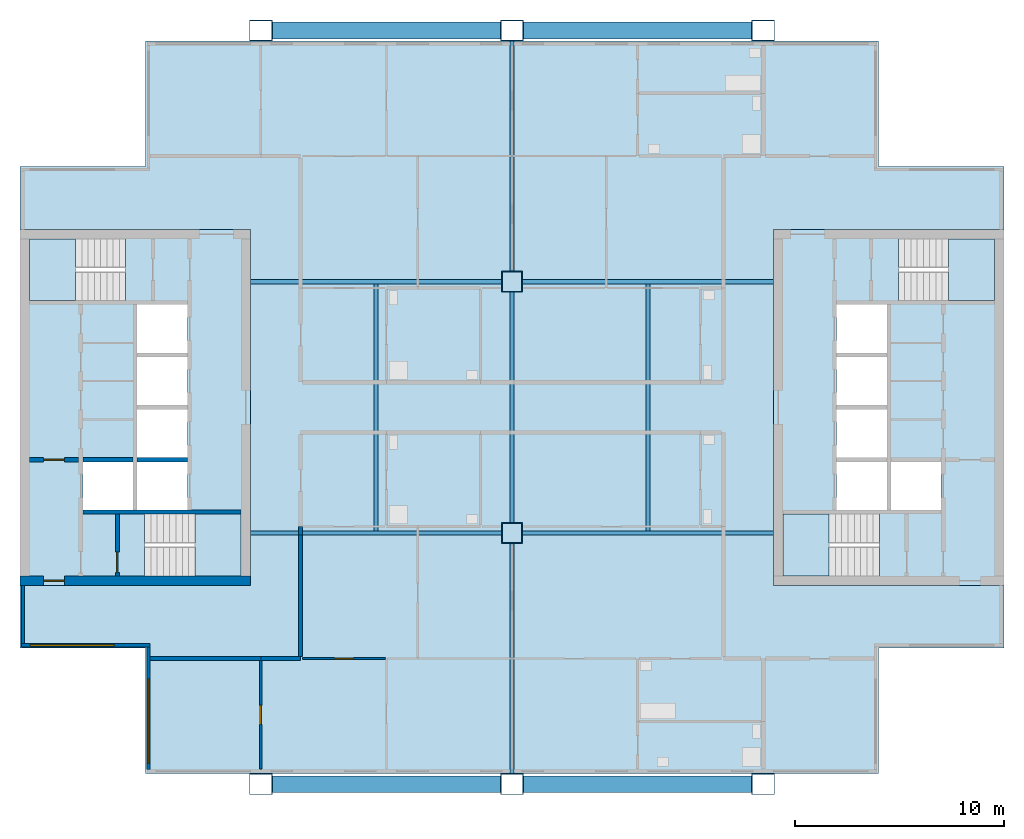
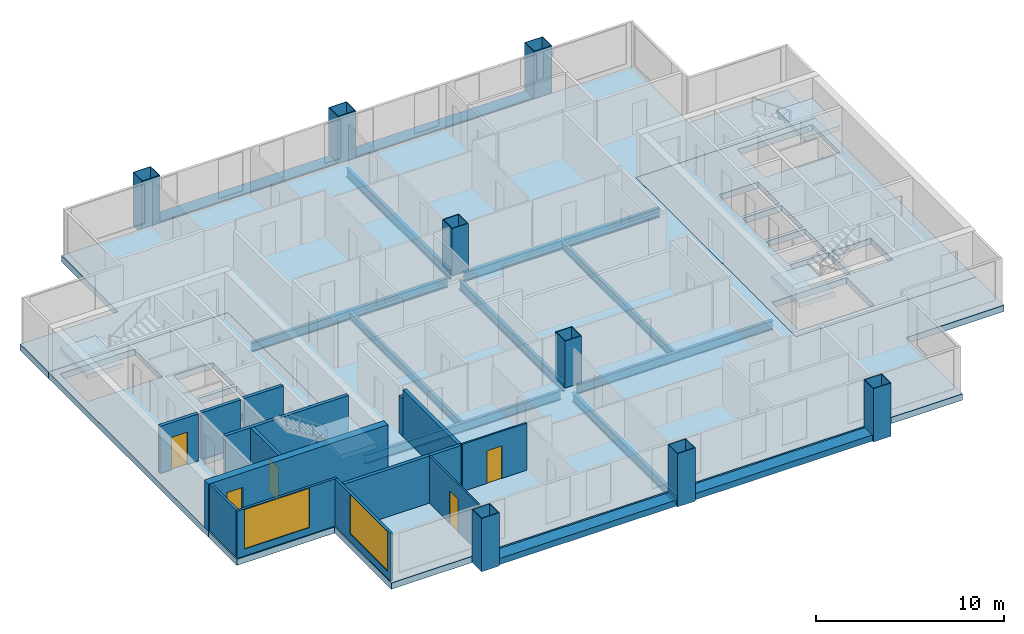
# One storey, part 1 of 8: 15 walls, 13 beams, 8 columns, 7 slabs, 5 doors, 2 windows, 7 openings, 4 elements without a shape of their own.
"""IFC4 building model written with IfcOpenShell, lengths in metres."""

from ifc_helpers import new_model, si_unit, direction, frame, frame_2d, origin, origin_2d, place, context, subcontext, project, spatial, polyline, rectangle, hollow_rectangle, i_section, outline, extrude, material, layer, layer_set, material_profile, profile_set, type_object, element, fill, aggregate, save


model = new_model("IFC4")

# Units and contexts
model_context = context("Model", 3, precision=1e-05, world=origin(), true_north=direction((0.0, 1.0)))
body_context = subcontext(model_context, "Body", "Model", "MODEL_VIEW")
ifc_project = project(units=[si_unit("LENGTHUNIT", "METRE"), si_unit("AREAUNIT", "SQUARE_METRE"), si_unit("VOLUMEUNIT", "CUBIC_METRE"), si_unit("PLANEANGLEUNIT", "RADIAN"), si_unit("MASSUNIT", "GRAM", prefix="KILO")], contexts=[model_context])

# Site, building, storey
site_placement = place(None, origin())
site = spatial("IfcSite", under=ifc_project, at=site_placement, CompositionType="ELEMENT")
building_placement = place(site_placement, origin())
building = spatial("IfcBuilding", under=site, at=building_placement, Name="Kitamizu Gate Tower and Museum", CompositionType="ELEMENT")
storey_placement = place(building_placement, frame((0.0, 0.0, 231.75)))
storey = spatial("IfcBuildingStorey", under=building, at=storey_placement, Name="L62", CompositionType="ELEMENT", Elevation=231.75)

# Columns
ifc_material_1 = material(Name="Steel SM490A bronze coated", Category="steel")
ifc_material_profile_1 = material_profile(ifc_material_1, hollow_rectangle(XDim=1.10009765625, YDim=1.0, WallThickness=0.0400390625, at=origin_2d()), Name="BOX 1100x1000x40")
ifc_profile_set_1 = profile_set([ifc_material_profile_1], Name="Steel SM490A bronze coated")
column_type_1 = type_object("IfcColumnType", Name="Exoskeleton column XC8 BOX 1100x1000x40", PredefinedType="COLUMN", material=ifc_profile_set_1)
for number, where, z_axis, x_axis, name in (
    (1, (24.0, 12.0, -0.39990234375), (0.0, 0.0, 1.0), (1.0, 0.0, 0.0), "Column XC8 3B L62"),
    (2, (24.0, 48.0, -0.39990234375), (0.0, 0.0, 1.0), (1.0, 0.0, 0.0), "Column XC8 3E L62"),
    (3, (36.0, 12.0, -0.39990234375), (0.0, 0.0, 1.0), (1.0, 0.0, 0.0), "Column XC8 4B L62"),
    (4, (36.0, 48.0, -0.39990234375), (0.0, 0.0, 1.0), (1.0, 0.0, 0.0), "Column XC8 4E L62"),
    (5, (48.0, 12.0, -0.39990234375), (0.0, 0.0, 1.0), (1.0, 0.0, 0.0), "Column XC8 5B L62"),
    (6, (48.0, 48.0, -0.39990234375), (0.0, 0.0, 1.0), (1.0, 0.0, 0.0), "Column XC8 5E L62"),
):
    element("IfcColumn", number, at=place(storey_placement, frame(where, z_axis=z_axis, x_axis=x_axis)), inside=storey, type_object=column_type_1, Name=name, PredefinedType="COLUMN", context=body_context, shape_type="SweptSolid", body=[
        extrude(hollow_rectangle(XDim=1.10009765625, YDim=1.0, WallThickness=0.0400390625, at=origin_2d()), origin(), (0.0, 0.0, 1.0), 3.449951171875),
    ])
ifc_material_2 = material(Name="Steel SM490A", Category="steel")
ifc_material_profile_2 = material_profile(ifc_material_2, hollow_rectangle(XDim=1.0, YDim=1.0, WallThickness=0.0400390625, at=origin_2d()), Name="BOX 1000x1000x40")
ifc_profile_set_2 = profile_set([ifc_material_profile_2], Name="Steel SM490A")
column_type_2 = type_object("IfcColumnType", Name="Interior column IC5 BOX 1000x1000x40", PredefinedType="COLUMN", material=ifc_profile_set_2)
for number, where, z_axis, x_axis, name in (
    (7, (36.0, 24.0, 0.0), (0.0, 0.0, 1.0), (1.0, 0.0, 0.0), "Column IC5 4C L62"),
    (8, (36.0, 36.0, 0.0), (0.0, 0.0, 1.0), (1.0, 0.0, 0.0), "Column IC5 4D L62"),
):
    element("IfcColumn", number, at=place(storey_placement, frame(where, z_axis=z_axis, x_axis=x_axis)), inside=storey, type_object=column_type_2, Name=name, PredefinedType="COLUMN", context=body_context, shape_type="SweptSolid", body=[
        extrude(hollow_rectangle(XDim=1.0, YDim=1.0, WallThickness=0.0400390625, at=origin_2d()), origin(), (0.0, 0.0, 1.0), 3.050048828125),
    ])

# Beams
ifc_material_3 = material(Name="Steel SM490A bronze coated", Category="steel")
ifc_material_profile_3 = material_profile(ifc_material_3, hollow_rectangle(XDim=0.800048828125, YDim=0.39990234375, WallThickness=0.0400390625, at=origin_2d()), Name="BOX 800x400x40")
ifc_profile_set_3 = profile_set([ifc_material_profile_3], Name="Steel SM490A bronze coated")
beam_type_1 = type_object("IfcBeamType", Name="Exoskeleton spandrel beam SB1 BOX 800x400x40", PredefinedType="SPANDREL", material=ifc_profile_set_3)
for number, where, z_axis, x_axis, name in (
    (9, (24.550048828125, 12.0, -0.199951171875), (1.0, 0.0, 0.0), (0.0, 1.0, 0.0), "Exoskeleton spandrel beam south 24 L62"),
    (10, (36.550048828125, 12.0, -0.199951171875), (1.0, 0.0, 0.0), (0.0, 1.0, 0.0), "Exoskeleton spandrel beam south 36 L62"),
    (11, (24.550048828125, 48.0, -0.199951171875), (1.0, 0.0, 0.0), (0.0, 1.0, 0.0), "Exoskeleton spandrel beam north 24 L62"),
    (12, (36.550048828125, 48.0, -0.199951171875), (1.0, 0.0, 0.0), (0.0, 1.0, 0.0), "Exoskeleton spandrel beam north 36 L62"),
):
    element("IfcBeam", number, at=place(storey_placement, frame(where, z_axis=z_axis, x_axis=x_axis)), inside=storey, type_object=beam_type_1, Name=name, PredefinedType="SPANDREL", context=body_context, shape_type="SweptSolid", body=[
        extrude(hollow_rectangle(XDim=0.800048828125, YDim=0.39990234375, WallThickness=0.0400390625, at=origin_2d()), origin(), (0.0, 0.0, 1.0), 10.89990234375),
    ])
ifc_material_4 = material(Name="Steel SM490A", Category="steel")
ifc_material_profile_4 = material_profile(ifc_material_4, i_section(OverallWidth=0.199951171875, OverallDepth=0.5, WebThickness=0.010009765625, FlangeThickness=0.01611328125, FilletRadius=0.02001953125, at=origin_2d()), Name="H-500x200x10x16")
ifc_profile_set_4 = profile_set([ifc_material_profile_4], Name="Steel SM490A")
beam_type_2 = type_object("IfcBeamType", Name="Floor beam FB1 H 500x200x10x16", PredefinedType="BEAM", material=ifc_profile_set_4)
for number, where, z_axis, x_axis, name in (
    (13, (29.5, 24.10009765625, -0.64990234375), (0.0, 1.0, 0.0), (-1.0, 0.0, 0.0), "Floor beam FB1 L62-1"),
    (14, (42.5, 24.10009765625, -0.64990234375), (0.0, 1.0, 0.0), (-1.0, 0.0, 0.0), "Floor beam FB1 L62-2"),
):
    element("IfcBeam", number, at=place(storey_placement, frame(where, z_axis=z_axis, x_axis=x_axis)), inside=storey, type_object=beam_type_2, Name=name, PredefinedType="BEAM", context=body_context, shape_type="SweptSolid", body=[
        extrude(i_section(OverallWidth=0.199951171875, OverallDepth=0.5, WebThickness=0.010009765625, FlangeThickness=0.01611328125, FilletRadius=0.02001953125, at=origin_2d()), origin(), (0.0, 0.0, 1.0), 11.7998046875),
    ])
ifc_material_5 = material(Name="Steel SM490A", Category="steel")
ifc_material_profile_5 = material_profile(ifc_material_5, i_section(OverallWidth=0.199951171875, OverallDepth=0.60009765625, WebThickness=0.010986328125, FlangeThickness=0.01708984375, FilletRadius=0.02197265625, at=origin_2d()), Name="H-600x200x11x17")
ifc_profile_set_5 = profile_set([ifc_material_profile_5], Name="Steel SM490A")
beam_type_3 = type_object("IfcBeamType", Name="Floor girder FG1 H 600x200x11x17", PredefinedType="BEAM", material=ifc_profile_set_5)
for number, where, z_axis, x_axis, name in (
    (15, (36.0, 12.5, -0.699951171875), (0.0, 1.0, 0.0), (-1.0, 0.0, 0.0), "Floor girder FG1 x36 L62"),
    (16, (36.0, 24.5, -0.699951171875), (0.0, 1.0, 0.0), (-1.0, 0.0, 0.0), "Floor girder FG1 x36 L62"),
    (17, (36.0, 36.5, -0.699951171875), (0.0, 1.0, 0.0), (-1.0, 0.0, 0.0), "Floor girder FG1 x36 L62"),
):
    element("IfcBeam", number, at=place(storey_placement, frame(where, z_axis=z_axis, x_axis=x_axis)), inside=storey, type_object=beam_type_3, Name=name, PredefinedType="BEAM", context=body_context, shape_type="SweptSolid", body=[
        extrude(i_section(OverallWidth=0.199951171875, OverallDepth=0.60009765625, WebThickness=0.010986328125, FlangeThickness=0.01708984375, FilletRadius=0.02197265625, at=origin_2d()), origin(), (0.0, 0.0, 1.0), 11.0),
    ])
for number, where, z_axis, x_axis, name in (
    (18, (23.5, 24.0, -0.699951171875), (1.0, 0.0, 0.0), (0.0, 1.0, 0.0), "Floor girder FG1 y24 L62"),
    (19, (36.5, 24.0, -0.699951171875), (1.0, 0.0, 0.0), (0.0, 1.0, 0.0), "Floor girder FG1 y24 L62"),
    (20, (23.5, 36.0, -0.699951171875), (1.0, 0.0, 0.0), (0.0, 1.0, 0.0), "Floor girder FG1 y36 L62"),
    (21, (36.5, 36.0, -0.699951171875), (1.0, 0.0, 0.0), (0.0, 1.0, 0.0), "Floor girder FG1 y36 L62"),
):
    element("IfcBeam", number, at=place(storey_placement, frame(where, z_axis=z_axis, x_axis=x_axis)), inside=storey, type_object=beam_type_3, Name=name, PredefinedType="BEAM", context=body_context, shape_type="SweptSolid", body=[
        extrude(i_section(OverallWidth=0.199951171875, OverallDepth=0.60009765625, WebThickness=0.010986328125, FlangeThickness=0.01708984375, FilletRadius=0.02197265625, at=origin_2d()), origin(), (0.0, 0.0, 1.0), 12.0),
    ])

# Slabs
ifc_material_6 = material(Name="Concrete Fc36", Category="concrete")
ifc_layer_1 = layer(ifc_material_6, 0.39990234375)
ifc_layer_set_1 = layer_set([ifc_layer_1], Name="Concrete Fc36")
slab_type_1 = type_object("IfcSlabType", Name="Core floor slab 400", PredefinedType="FLOOR", material=ifc_layer_set_1)
slab_1_placement = place(storey_placement, frame((0.0, 0.0, -0.39990234375)))
element("IfcSlab", 22, at=slab_1_placement, inside=storey, type_object=slab_type_1, Name="Core floor slab W", PredefinedType="FLOOR", context=body_context, shape_type="SweptSolid", body=[
    extrude(outline(polyline([(12.5, 21.5), (23.5, 21.5), (23.5, 38.5), (12.5, 38.5), (12.5, 21.5)]), holes=[polyline([(15.5, 25.10009765625), (17.89990234375, 25.10009765625), (17.89990234375, 27.39990234375), (15.5, 27.39990234375), (15.5, 25.10009765625)]), polyline([(18.10009765625, 25.10009765625), (20.5, 25.10009765625), (20.5, 27.39990234375), (18.10009765625, 27.39990234375), (18.10009765625, 25.10009765625)]), polyline([(18.10009765625, 27.60009765625), (20.5, 27.60009765625), (20.5, 29.89990234375), (18.10009765625, 29.89990234375), (18.10009765625, 27.60009765625)]), polyline([(18.10009765625, 30.10009765625), (20.5, 30.10009765625), (20.5, 32.39990234375), (18.10009765625, 32.39990234375), (18.10009765625, 30.10009765625)]), polyline([(18.10009765625, 32.60009765625), (20.5, 32.60009765625), (20.5, 34.89990234375), (18.10009765625, 34.89990234375), (18.10009765625, 32.60009765625)]), polyline([(18.45068359375, 21.949951171875), (23.050048828125, 21.949951171875), (23.050048828125, 24.89990234375), (18.45068359375, 24.89990234375), (18.45068359375, 21.949951171875)]), polyline([(12.949951171875, 35.10009765625), (17.54931640625, 35.10009765625), (17.54931640625, 38.050048828125), (12.949951171875, 38.050048828125), (12.949951171875, 35.10009765625)])]), origin(), (0.0, 0.0, 1.0), 0.39990234375),
])
slab_2_placement = place(storey_placement, frame((0.0, 0.0, -0.39990234375)))
element("IfcSlab", 23, at=slab_2_placement, inside=storey, type_object=slab_type_1, Name="Core floor slab E", PredefinedType="FLOOR", context=body_context, shape_type="SweptSolid", body=[
    extrude(outline(polyline([(48.5, 21.5), (59.5, 21.5), (59.5, 38.5), (48.5, 38.5), (48.5, 21.5)]), holes=[polyline([(54.10009765625, 25.10009765625), (56.5, 25.10009765625), (56.5, 27.39990234375), (54.10009765625, 27.39990234375), (54.10009765625, 25.10009765625)]), polyline([(51.5, 25.10009765625), (53.89990234375, 25.10009765625), (53.89990234375, 27.39990234375), (51.5, 27.39990234375), (51.5, 25.10009765625)]), polyline([(51.5, 27.60009765625), (53.89990234375, 27.60009765625), (53.89990234375, 29.89990234375), (51.5, 29.89990234375), (51.5, 27.60009765625)]), polyline([(51.5, 30.10009765625), (53.89990234375, 30.10009765625), (53.89990234375, 32.39990234375), (51.5, 32.39990234375), (51.5, 30.10009765625)]), polyline([(51.5, 32.60009765625), (53.89990234375, 32.60009765625), (53.89990234375, 34.89990234375), (51.5, 34.89990234375), (51.5, 32.60009765625)]), polyline([(48.949951171875, 21.949951171875), (53.54931640625, 21.949951171875), (53.54931640625, 24.89990234375), (48.949951171875, 24.89990234375), (48.949951171875, 21.949951171875)]), polyline([(54.45068359375, 35.10009765625), (59.050048828125, 35.10009765625), (59.050048828125, 38.050048828125), (54.45068359375, 38.050048828125), (54.45068359375, 35.10009765625)])]), origin(), (0.0, 0.0, 1.0), 0.39990234375),
])
ifc_material_7 = material(Name="Concrete Fc36", Category="concrete")
ifc_layer_2 = layer(ifc_material_7, 0.39990234375)
ifc_layer_set_2 = layer_set([ifc_layer_2], Name="Concrete Fc36")
slab_type_2 = type_object("IfcSlabType", Name="Post tensioned flat slab 400", PredefinedType="FLOOR", material=ifc_layer_set_2)
slab_3_placement = place(storey_placement, frame((0.0, 0.0, -0.39990234375)))
element("IfcSlab", 24, at=slab_3_placement, inside=storey, type_object=slab_type_2, Name="Floor slab L62-1", PredefinedType="FLOOR", context=body_context, shape_type="SweptSolid", body=[
    extrude(outline(polyline([(12.5, 18.5), (12.5, 21.5), (23.5, 21.5), (23.5, 38.5), (12.5, 38.5), (12.5, 41.5), (18.5, 41.5), (18.5, 47.5), (53.5, 47.5), (53.5, 41.5), (59.5, 41.5), (59.5, 38.5), (48.5, 38.5), (48.5, 21.5), (59.5, 21.5), (59.5, 18.5), (53.5, 18.5), (53.5, 12.5), (18.5, 12.5), (18.5, 18.5), (12.5, 18.5)])), origin(), (0.0, 0.0, 1.0), 0.39990234375),
])

# Stair, slab
ifc_material_8 = material(Name="Concrete Fc42", Category="concrete")
stair_type = type_object("IfcStairType", Name="Exit stair 1375 wide 192 rise 300 going", PredefinedType="HALF_TURN_STAIR", material=ifc_material_8)
stair_1_placement = place(storey_placement, origin())
stair_1 = element("IfcStair", 25, at=stair_1_placement, inside=storey, type_object=stair_type, Name="Exit stair ST1", PredefinedType="HALF_TURN_STAIR")
ifc_material_9 = material(Name="Concrete Fc42", Category="concrete")
ifc_layer_3 = layer(ifc_material_9, 0.300048828125)
ifc_layer_set_3 = layer_set([ifc_layer_3], Name="Concrete Fc42")
slab_type_3 = type_object("IfcSlabType", Name="Stair landing 300", PredefinedType="LANDING", material=ifc_layer_set_3)
slab_4_placement = place(storey_placement, frame((0.0, 0.0, 1.425048828125)))
slab_4 = element("IfcSlab", 26, at=slab_4_placement, type_object=slab_type_3, Name="ST1 landing 1", PredefinedType="LANDING", context=body_context, shape_type="SweptSolid", body=[
    extrude(outline(polyline([(20.85009765625, 21.949951171875), (23.050048828125, 21.949951171875), (23.050048828125, 24.89990234375), (20.85009765625, 24.89990234375), (20.85009765625, 21.949951171875)])), origin(), (0.0, 0.0, 1.0), 0.300048828125),
])
aggregate(stair_1, [slab_4])

stair_2_placement = place(storey_placement, origin())
stair_2 = element("IfcStair", 27, at=stair_2_placement, inside=storey, type_object=stair_type, Name="Exit stair ST2", PredefinedType="HALF_TURN_STAIR")
slab_5_placement = place(storey_placement, frame((0.0, 0.0, 1.425048828125)))
slab_5 = element("IfcSlab", 28, at=slab_5_placement, type_object=slab_type_3, Name="ST2 landing 1", PredefinedType="LANDING", context=body_context, shape_type="SweptSolid", body=[
    extrude(outline(polyline([(12.949951171875, 35.10009765625), (15.14990234375, 35.10009765625), (15.14990234375, 38.050048828125), (12.949951171875, 38.050048828125), (12.949951171875, 35.10009765625)])), origin(), (0.0, 0.0, 1.0), 0.300048828125),
])
aggregate(stair_2, [slab_5])

stair_3_placement = place(storey_placement, origin())
stair_3 = element("IfcStair", 29, at=stair_3_placement, inside=storey, type_object=stair_type, Name="Exit stair ST3", PredefinedType="HALF_TURN_STAIR")
slab_6_placement = place(storey_placement, frame((0.0, 0.0, 1.425048828125)))
slab_6 = element("IfcSlab", 30, at=slab_6_placement, type_object=slab_type_3, Name="ST3 landing 1", PredefinedType="LANDING", context=body_context, shape_type="SweptSolid", body=[
    extrude(outline(polyline([(48.949951171875, 21.949951171875), (51.14990234375, 21.949951171875), (51.14990234375, 24.89990234375), (48.949951171875, 24.89990234375), (48.949951171875, 21.949951171875)])), origin(), (0.0, 0.0, 1.0), 0.300048828125),
])
aggregate(stair_3, [slab_6])

stair_4_placement = place(storey_placement, origin())
stair_4 = element("IfcStair", 31, at=stair_4_placement, inside=storey, type_object=stair_type, Name="Exit stair ST4", PredefinedType="HALF_TURN_STAIR")
slab_7_placement = place(storey_placement, frame((0.0, 0.0, 1.425048828125)))
slab_7 = element("IfcSlab", 32, at=slab_7_placement, type_object=slab_type_3, Name="ST4 landing 1", PredefinedType="LANDING", context=body_context, shape_type="SweptSolid", body=[
    extrude(outline(polyline([(56.85009765625, 35.10009765625), (59.050048828125, 35.10009765625), (59.050048828125, 38.050048828125), (56.85009765625, 38.050048828125), (56.85009765625, 35.10009765625)])), origin(), (0.0, 0.0, 1.0), 0.300048828125),
])
aggregate(stair_4, [slab_7])

# Wall, opening, door
ifc_material_10 = material(Name="Concrete Fc42", Category="concrete")
ifc_layer_4 = layer(ifc_material_10, 0.449951171875)
ifc_layer_set_4 = layer_set([ifc_layer_4], Name="Concrete Fc42")
wall_type_1 = type_object("IfcWallType", Name="Core wall 450", PredefinedType="SHEAR", material=ifc_layer_set_4)
wall_1_placement = place(storey_placement, frame((12.5, 21.72509765625, 0.0), z_axis=(0.0, 0.0, 1.0), x_axis=(1.0, 0.0, 0.0)))
wall_1 = element("IfcWall", 33, at=wall_1_placement, inside=storey, type_object=wall_type_1, Name="Core wall WS", PredefinedType="SHEAR", context=body_context, shape_type="SweptSolid", body=[
    extrude(rectangle(XDim=11.0, YDim=0.449951171875, at=frame_2d((5.5, 0.0))), origin(), (0.0, 0.0, 1.0), 3.050048828125),
])
opening_1_placement = place(wall_1_placement, frame((1.125, 0.0, 0.0)))
opening_1 = element("IfcOpeningElement", 34, at=opening_1_placement, cuts=wall_1, Name="Opening L62-035", PredefinedType="OPENING", context=body_context, shape_type="SweptSolid", body=[
    extrude(rectangle(XDim=1.0, YDim=2.10009765625, at=frame_2d((0.5, 1.050048828125))), frame((0.0, 0.23486328125, 0.0), z_axis=(0.0, -1.0, 0.0), x_axis=(1.0, 0.0, 0.0)), (0.0, 0.0, 1.0), 0.469970703125),
])
ifc_material_11 = material(Name="Hollow metal door set")
door_type_1 = type_object("IfcDoorType", Name="Fire door 1000", OperationType="NOTDEFINED", PredefinedType="DOOR", material=ifc_material_11)
door_1_placement = place(opening_1_placement, origin())
door_1 = element("IfcDoor", 35, at=door_1_placement, inside=storey, type_object=door_type_1, Name="Fire-fighting lobby door L62-035", OperationType="SINGLE_SWING_RIGHT", OverallHeight=2.10009765625, OverallWidth=1.0, PredefinedType="DOOR", context=body_context, shape_type="SweptSolid", body=[
    extrude(rectangle(XDim=1.0, YDim=2.10009765625, at=frame_2d((0.5, 1.050048828125))), frame((0.0, 0.02490234375, 0.0), z_axis=(0.0, -1.0, 0.0), x_axis=(1.0, 0.0, 0.0)), (0.0, 0.0, 1.0), 0.050048828125),
])
fill(opening_1, door_1)

ifc_material_12 = material(Name="Gypsum board on galvanised stud")
ifc_layer_5 = layer(ifc_material_12, 0.10009765625)
ifc_layer_set_5 = layer_set([ifc_layer_5], Name="Gypsum board on galvanised stud")
wall_type_2 = type_object("IfcWallType", Name="Partition 100 NOT RATED", PredefinedType="PARTITIONING", material=ifc_layer_set_5)
wall_2_placement = place(storey_placement, frame((24.0, 12.719970703125, 0.0), z_axis=(0.0, 0.0, 1.0), x_axis=(0.0, 1.0, 0.0)))
wall_2 = element("IfcWall", 36, at=wall_2_placement, inside=storey, type_object=wall_type_2, Name="Partition L62-001", PredefinedType="PARTITIONING", context=body_context, shape_type="SweptSolid", body=[
    extrude(rectangle(XDim=5.179931640625, YDim=0.10009765625, at=frame_2d((2.58984375, 0.0))), origin(), (0.0, 0.0, 1.0), 3.050048828125),
])
opening_2_placement = place(wall_2_placement, frame((2.139892578125, 0.0, 0.0)))
opening_2 = element("IfcOpeningElement", 37, at=opening_2_placement, cuts=wall_2, Name="Opening L62-006", PredefinedType="OPENING", context=body_context, shape_type="SweptSolid", body=[
    extrude(rectangle(XDim=0.89990234375, YDim=2.10009765625, at=frame_2d((0.449951171875, 1.050048828125))), frame((0.0, 0.06005859375, 0.0), z_axis=(0.0, -1.0, 0.0), x_axis=(1.0, 0.0, 0.0)), (0.0, 0.0, 1.0), 0.1201171875),
])
ifc_material_13 = material(Name="Timber door set", Category="wood")
door_type_2 = type_object("IfcDoorType", Name="Room door 900", OperationType="NOTDEFINED", PredefinedType="DOOR", material=ifc_material_13)
door_2_placement = place(opening_2_placement, origin())
door_2 = element("IfcDoor", 38, at=door_2_placement, inside=storey, type_object=door_type_2, Name="Door L62-006", OperationType="SINGLE_SWING_LEFT", OverallHeight=2.10009765625, OverallWidth=0.89990234375, PredefinedType="DOOR", context=body_context, shape_type="SweptSolid", body=[
    extrude(rectangle(XDim=0.89990234375, YDim=2.10009765625, at=frame_2d((0.449951171875, 1.050048828125))), frame((0.0, 0.02490234375, 0.0), z_axis=(0.0, -1.0, 0.0), x_axis=(1.0, 0.0, 0.0)), (0.0, 0.0, 1.0), 0.050048828125),
])
fill(opening_2, door_2)

wall_3_placement = place(storey_placement, frame((29.949951171875, 18.0, 0.0), z_axis=(0.0, 0.0, 1.0), x_axis=(-1.0, 0.0, 0.0)))
wall_3 = element("IfcWall", 39, at=wall_3_placement, inside=storey, type_object=wall_type_2, Name="Partition L62-004", PredefinedType="PARTITIONING", context=body_context, shape_type="SweptSolid", body=[
    extrude(rectangle(XDim=3.949951171875, YDim=0.10009765625, at=frame_2d((1.97509765625, 0.0))), origin(), (0.0, 0.0, 1.0), 3.050048828125),
])
opening_3_placement = place(wall_3_placement, frame((1.52490234375, 0.0, 0.0)))
opening_3 = element("IfcOpeningElement", 40, at=opening_3_placement, cuts=wall_3, Name="Opening L62-003", PredefinedType="OPENING", context=body_context, shape_type="SweptSolid", body=[
    extrude(rectangle(XDim=0.89990234375, YDim=2.10009765625, at=frame_2d((0.449951171875, 1.050048828125))), frame((0.0, 0.06005859375, 0.0), z_axis=(0.0, -1.0, 0.0), x_axis=(1.0, 0.0, 0.0)), (0.0, 0.0, 1.0), 0.1201171875),
])
door_3_placement = place(opening_3_placement, origin())
door_3 = element("IfcDoor", 41, at=door_3_placement, inside=storey, type_object=door_type_2, Name="Door L62-003", OperationType="SINGLE_SWING_RIGHT", OverallHeight=2.10009765625, OverallWidth=0.89990234375, PredefinedType="DOOR", context=body_context, shape_type="SweptSolid", body=[
    extrude(rectangle(XDim=0.89990234375, YDim=2.10009765625, at=frame_2d((0.449951171875, 1.050048828125))), frame((0.0, 0.02490234375, 0.0), z_axis=(0.0, -1.0, 0.0), x_axis=(1.0, 0.0, 0.0)), (0.0, 0.0, 1.0), 0.050048828125),
])
fill(opening_3, door_3)

# Walls
ifc_material_14 = material(Name="Gypsum board on galvanised stud")
ifc_layer_6 = layer(ifc_material_14, 0.199951171875)
ifc_layer_set_6 = layer_set([ifc_layer_6], Name="Gypsum board on galvanised stud")
wall_type_3 = type_object("IfcWallType", Name="Partition 200", PredefinedType="PARTITIONING", material=ifc_layer_set_6)
wall_4_placement = place(storey_placement, frame((24.0, 18.0, 0.0), z_axis=(0.0, 0.0, 1.0), x_axis=(-1.0, 0.0, 0.0)))
element("IfcWall", 42, at=wall_4_placement, inside=storey, type_object=wall_type_3, Name="Partition L62-002", PredefinedType="PARTITIONING", context=body_context, shape_type="SweptSolid", body=[
    extrude(rectangle(XDim=5.280029296875, YDim=0.199951171875, at=frame_2d((2.64013671875, 0.0))), origin(), (0.0, 0.0, 1.0), 3.050048828125),
])
wall_5_placement = place(storey_placement, frame((25.89990234375, 18.0, 0.0), z_axis=(0.0, 0.0, 1.0), x_axis=(-1.0, 0.0, 0.0)))
element("IfcWall", 43, at=wall_5_placement, inside=storey, type_object=wall_type_3, Name="Partition L62-005", PredefinedType="PARTITIONING", context=body_context, shape_type="SweptSolid", body=[
    extrude(rectangle(XDim=1.89990234375, YDim=0.199951171875, at=frame_2d((0.949951171875, 0.0))), origin(), (0.0, 0.0, 1.0), 3.050048828125),
])
wall_6_placement = place(storey_placement, frame((25.89990234375, 24.300048828125, 0.0), z_axis=(0.0, 0.0, 1.0), x_axis=(0.0, -1.0, 0.0)))
element("IfcWall", 44, at=wall_6_placement, inside=storey, type_object=wall_type_3, Name="Partition L62-020", PredefinedType="PARTITIONING", context=body_context, shape_type="SweptSolid", body=[
    extrude(rectangle(XDim=0.400146484375, YDim=0.199951171875, at=frame_2d((0.2001953125, 0.0))), origin(), (0.0, 0.0, 1.0), 2.449951171875),
])
wall_7_placement = place(storey_placement, frame((25.89990234375, 23.89990234375, 0.0), z_axis=(0.0, 0.0, 1.0), x_axis=(0.0, -1.0, 0.0)))
element("IfcWall", 45, at=wall_7_placement, inside=storey, type_object=wall_type_3, Name="Partition L62-021", PredefinedType="PARTITIONING", context=body_context, shape_type="SweptSolid", body=[
    extrude(rectangle(XDim=5.7998046875, YDim=0.199951171875, at=frame_2d((2.89990234375, 0.0))), origin(), (0.0, 0.0, 1.0), 3.050048828125),
])
ifc_material_15 = material(Name="Concrete Fc42", Category="concrete")
ifc_layer_7 = layer(ifc_material_15, 0.199951171875)
ifc_layer_set_7 = layer_set([ifc_layer_7], Name="Concrete Fc42")
wall_type_4 = type_object("IfcWallType", Name="Shaft wall 200", PredefinedType="SOLIDWALL", material=ifc_layer_set_7)
wall_8_placement = place(storey_placement, frame((15.5, 25.0, 0.0), z_axis=(0.0, 0.0, 1.0), x_axis=(1.0, 0.0, 0.0)))
element("IfcWall", 46, at=wall_8_placement, inside=storey, type_object=wall_type_4, Name="Shaft wall WSB", PredefinedType="SOLIDWALL", context=body_context, shape_type="SweptSolid", body=[
    extrude(rectangle(XDim=7.550048828125, YDim=0.199951171875, at=frame_2d((3.77490234375, 0.0))), origin(), (0.0, 0.0, 1.0), 3.050048828125),
])

# Wall, opening, door
wall_9_placement = place(storey_placement, frame((12.949951171875, 27.5, 0.0), z_axis=(0.0, 0.0, 1.0), x_axis=(1.0, 0.0, 0.0)))
wall_9 = element("IfcWall", 47, at=wall_9_placement, inside=storey, type_object=wall_type_4, Name="Shaft wall WFFN", PredefinedType="SOLIDWALL", context=body_context, shape_type="SweptSolid", body=[
    extrude(rectangle(XDim=2.35009765625, YDim=0.199951171875, at=frame_2d((1.175048828125, 0.0))), origin(), (0.0, 0.0, 1.0), 3.050048828125),
])
opening_4_placement = place(wall_9_placement, frame((0.675048828125, 0.0, 0.0)))
opening_4 = element("IfcOpeningElement", 48, at=opening_4_placement, cuts=wall_9, Name="Opening L62-034", PredefinedType="OPENING", context=body_context, shape_type="SweptSolid", body=[
    extrude(rectangle(XDim=1.0, YDim=2.10009765625, at=frame_2d((0.5, 1.050048828125))), frame((0.0, 0.10986328125, 0.0), z_axis=(0.0, -1.0, 0.0), x_axis=(1.0, 0.0, 0.0)), (0.0, 0.0, 1.0), 0.219970703125),
])
door_4_placement = place(opening_4_placement, frame((1.0, 0.0, 0.0), x_axis=(-1.0, 0.0, 0.0)))
door_4 = element("IfcDoor", 49, at=door_4_placement, inside=storey, type_object=door_type_1, Name="Fire-fighting lobby door L62-034", OperationType="SINGLE_SWING_RIGHT", OverallHeight=2.10009765625, OverallWidth=1.0, PredefinedType="DOOR", context=body_context, shape_type="SweptSolid", body=[
    extrude(rectangle(XDim=1.0, YDim=2.10009765625, at=frame_2d((0.5, 1.050048828125))), frame((0.0, 0.02490234375, 0.0), z_axis=(0.0, -1.0, 0.0), x_axis=(1.0, 0.0, 0.0)), (0.0, 0.0, 1.0), 0.050048828125),
])
fill(opening_4, door_4)

wall_10_placement = place(storey_placement, frame((17.14990234375, 21.949951171875, 0.0), z_axis=(0.0, 0.0, 1.0), x_axis=(0.0, 1.0, 0.0)))
wall_10 = element("IfcWall", 50, at=wall_10_placement, inside=storey, type_object=wall_type_4, Name="Shaft wall WSZ", PredefinedType="SOLIDWALL", context=body_context, shape_type="SweptSolid", body=[
    extrude(rectangle(XDim=2.949951171875, YDim=0.199951171875, at=frame_2d((1.47509765625, 0.0))), origin(), (0.0, 0.0, 1.0), 3.050048828125),
])
opening_5_placement = place(wall_10_placement, frame((0.14990234375, 0.0, 0.0)))
opening_5 = element("IfcOpeningElement", 51, at=opening_5_placement, cuts=wall_10, Name="Opening L62-030", PredefinedType="OPENING", context=body_context, shape_type="SweptSolid", body=[
    extrude(rectangle(XDim=1.0, YDim=2.10009765625, at=frame_2d((0.5, 1.050048828125))), frame((0.0, 0.10986328125, 0.0), z_axis=(0.0, -1.0, 0.0), x_axis=(1.0, 0.0, 0.0)), (0.0, 0.0, 1.0), 0.219970703125),
])
door_5_placement = place(opening_5_placement, frame((1.0, 0.0, 0.0), x_axis=(-1.0, 0.0, 0.0)))
door_5 = element("IfcDoor", 52, at=door_5_placement, inside=storey, type_object=door_type_1, Name="Stair door L62-030", OperationType="SINGLE_SWING_LEFT", OverallHeight=2.10009765625, OverallWidth=1.0, PredefinedType="DOOR", context=body_context, shape_type="SweptSolid", body=[
    extrude(rectangle(XDim=1.0, YDim=2.10009765625, at=frame_2d((0.5, 1.050048828125))), frame((0.0, 0.02490234375, 0.0), z_axis=(0.0, -1.0, 0.0), x_axis=(1.0, 0.0, 0.0)), (0.0, 0.0, 1.0), 0.050048828125),
])
fill(opening_5, door_5)

# Walls
for number, where, z_axis, x_axis, name in (
    (53, (15.5, 27.5, 0.0), (0.0, 0.0, 1.0), (1.0, 0.0, 0.0), "Shaft wall WDVW0"),
    (54, (18.10009765625, 27.5, 0.0), (0.0, 0.0, 1.0), (1.0, 0.0, 0.0), "Shaft wall WDVE0"),
):
    element("IfcWall", number, at=place(storey_placement, frame(where, z_axis=z_axis, x_axis=x_axis)), inside=storey, type_object=wall_type_4, Name=name, PredefinedType="SOLIDWALL", context=body_context, shape_type="SweptSolid", body=[
        extrude(rectangle(XDim=2.39990234375, YDim=0.199951171875, at=frame_2d((1.199951171875, 0.0))), origin(), (0.0, 0.0, 1.0), 3.050048828125),
    ])
ifc_material_16 = material(Name="Bronze anodised aluminium frame with insulated spandrel and tinted glass", Category="aluminium")
ifc_layer_8 = layer(ifc_material_16, 0.14990234375)
ifc_layer_set_8 = layer_set([ifc_layer_8], Name="Bronze anodised aluminium frame with insulated spandrel and tinted glass")
wall_type_5 = type_object("IfcWallType", Name="WINDOW WALL 150 BRONZE FRAME EI 30", PredefinedType="ELEMENTEDWALL", material=ifc_layer_set_8)
wall_11_placement = place(storey_placement, frame((12.635009765625, 18.7099609375, 0.0), z_axis=(0.0, 0.0, 1.0), x_axis=(0.0, 1.0, 0.0)))
element("IfcWall", 55, at=wall_11_placement, inside=storey, type_object=wall_type_5, Name="Window wall west L62", PredefinedType="ELEMENTEDWALL", context=body_context, shape_type="SweptSolid", body=[
    extrude(rectangle(XDim=2.7900390625, YDim=0.14990234375, at=frame_2d((1.39501953125, 0.0))), origin(), (0.0, 0.0, 1.0), 3.050048828125),
])

# Wall, opening, window
wall_12_placement = place(storey_placement, frame((12.56005859375, 18.635009765625, 0.0), z_axis=(0.0, 0.0, 1.0), x_axis=(1.0, 0.0, 0.0)))
wall_12 = element("IfcWall", 56, at=wall_12_placement, inside=storey, type_object=wall_type_5, Name="Window wall south L62", PredefinedType="ELEMENTEDWALL", context=body_context, shape_type="SweptSolid", body=[
    extrude(rectangle(XDim=6.14990234375, YDim=0.14990234375, at=frame_2d((3.074951171875, 0.0))), origin(), (0.0, 0.0, 1.0), 3.050048828125),
])
opening_6_placement = place(wall_12_placement, frame((0.43994140625, 0.0, 0.449951171875)))
opening_6 = element("IfcOpeningElement", 57, at=opening_6_placement, cuts=wall_12, Name="Opening W16", PredefinedType="OPENING", context=body_context, shape_type="SweptSolid", body=[
    extrude(rectangle(XDim=4.0, YDim=2.550048828125, at=frame_2d((2.0, 1.27490234375))), frame((0.0, 0.0849609375, 0.0), z_axis=(0.0, -1.0, 0.0), x_axis=(1.0, 0.0, 0.0)), (0.0, 0.0, 1.0), 0.169921875),
])
ifc_material_17 = material(Name="Bronze anodised aluminium frame, tinted triple glazing", Category="aluminium")
window_type = type_object("IfcWindowType", Name="WINDOW 4000 x 2550 SILL 450", PartitioningType="SINGLE_PANEL", PredefinedType="WINDOW", material=ifc_material_17)
window_1_placement = place(opening_6_placement, origin())
window_1 = element("IfcWindow", 58, at=window_1_placement, inside=storey, type_object=window_type, Name="Window W16 L62", OverallHeight=2.550048828125, OverallWidth=4.0, PartitioningType="SINGLE_PANEL", PredefinedType="WINDOW", context=body_context, shape_type="SweptSolid", body=[
    extrude(rectangle(XDim=4.0, YDim=2.550048828125, at=frame_2d((2.0, 1.27490234375))), frame((0.0, 0.030029296875, 0.0), z_axis=(0.0, -1.0, 0.0), x_axis=(1.0, 0.0, 0.0)), (0.0, 0.0, 1.0), 0.06005859375),
])
fill(opening_6, window_1)

wall_13_placement = place(storey_placement, frame((18.635009765625, 12.7099609375, 0.0), z_axis=(0.0, 0.0, 1.0), x_axis=(0.0, 1.0, 0.0)))
wall_13 = element("IfcWall", 59, at=wall_13_placement, inside=storey, type_object=wall_type_5, Name="Window wall west L62", PredefinedType="ELEMENTEDWALL", context=body_context, shape_type="SweptSolid", body=[
    extrude(rectangle(XDim=5.85009765625, YDim=0.14990234375, at=frame_2d((2.925048828125, 0.0))), origin(), (0.0, 0.0, 1.0), 3.050048828125),
])
opening_7_placement = place(wall_13_placement, frame((0.2900390625, 0.0, 0.449951171875)))
opening_7 = element("IfcOpeningElement", 60, at=opening_7_placement, cuts=wall_13, Name="Opening W16", PredefinedType="OPENING", context=body_context, shape_type="SweptSolid", body=[
    extrude(rectangle(XDim=4.0, YDim=2.550048828125, at=frame_2d((2.0, 1.27490234375))), frame((0.0, 0.0849609375, 0.0), z_axis=(0.0, -1.0, 0.0), x_axis=(1.0, 0.0, 0.0)), (0.0, 0.0, 1.0), 0.169921875),
])
window_2_placement = place(opening_7_placement, origin())
window_2 = element("IfcWindow", 61, at=window_2_placement, inside=storey, type_object=window_type, Name="Window W16 L62", OverallHeight=2.550048828125, OverallWidth=4.0, PartitioningType="SINGLE_PANEL", PredefinedType="WINDOW", context=body_context, shape_type="SweptSolid", body=[
    extrude(rectangle(XDim=4.0, YDim=2.550048828125, at=frame_2d((2.0, 1.27490234375))), frame((0.0, 0.030029296875, 0.0), z_axis=(0.0, -1.0, 0.0), x_axis=(1.0, 0.0, 0.0)), (0.0, 0.0, 1.0), 0.06005859375),
])
fill(opening_7, window_2)

save(model, "model.ifc")
